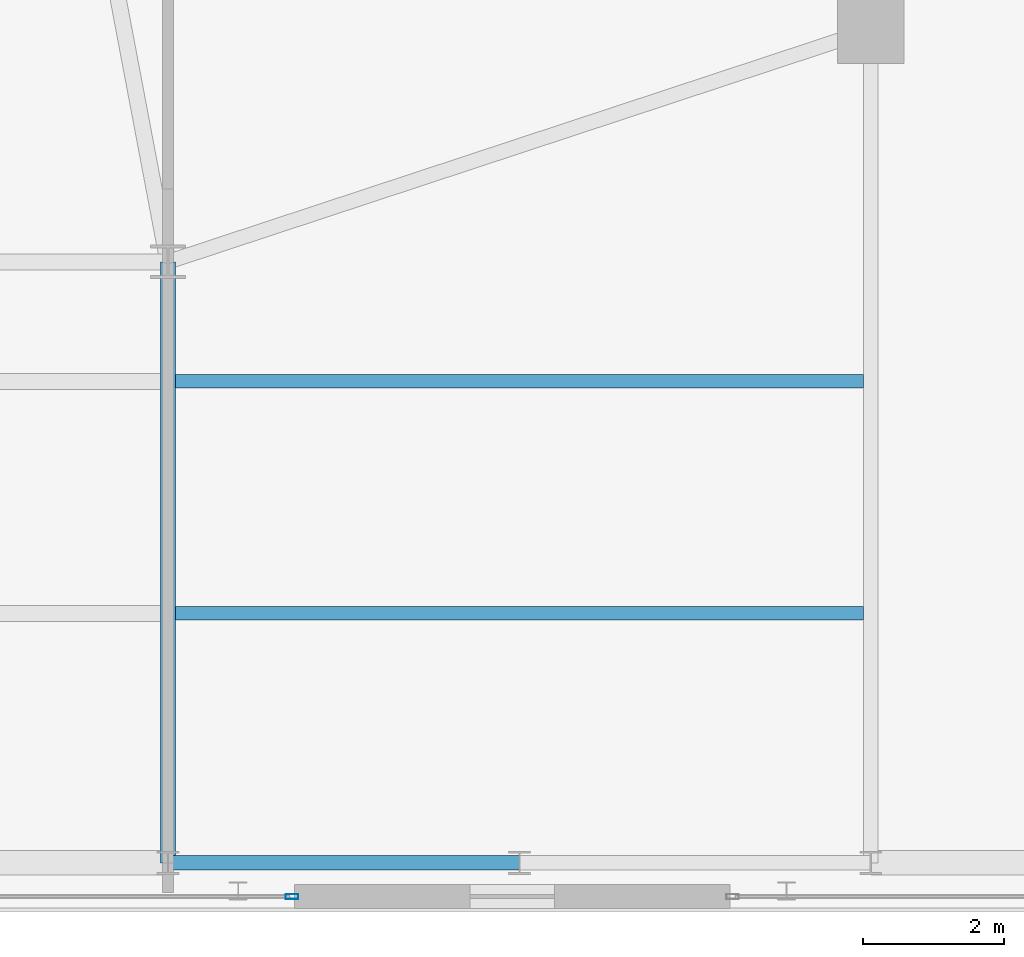
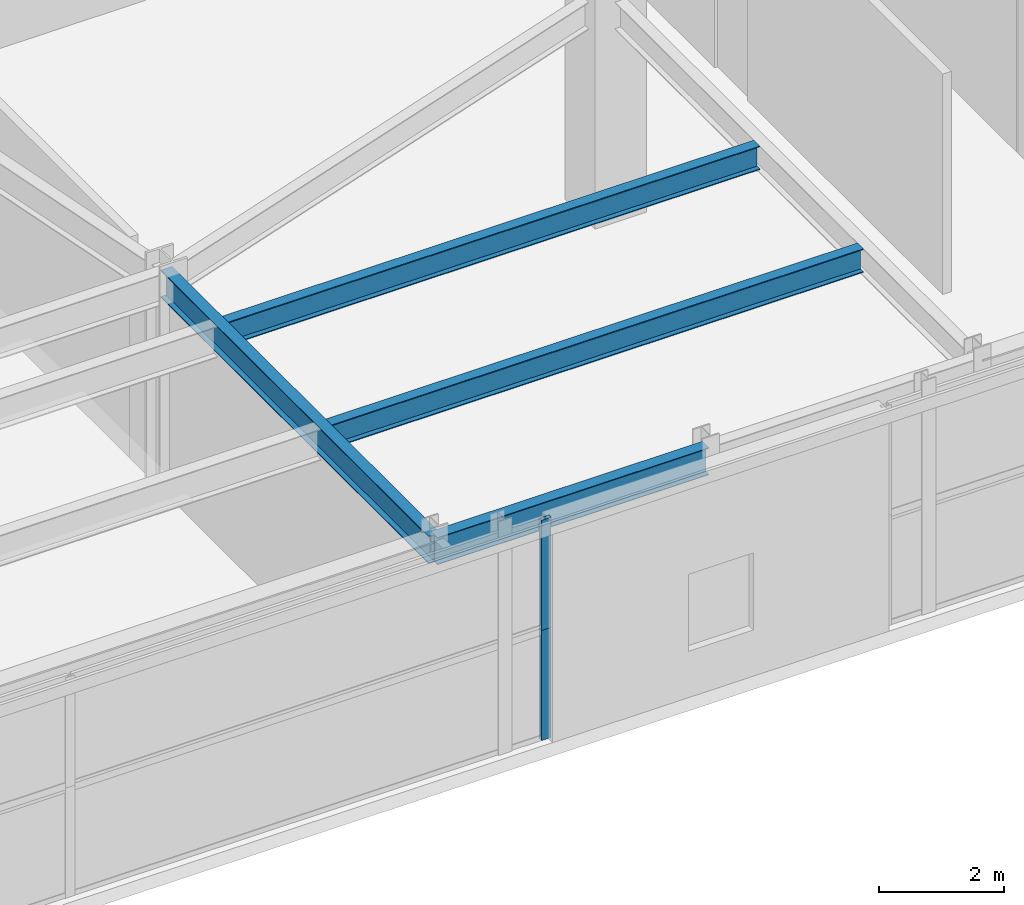
# One storey, part 14 of 26: 4 beams, 2 members, 2 elements without a shape of their own.
"""IFC4 building model written with IfcOpenShell, lengths in metres."""

import ifcopenshell
import ifcopenshell.guid

model = None  # the IFC model being written
_history = None  # IfcOwnerHistory: only IFC2X3 demands one
_inside = {}  # id of a spatial element -> (the spatial element, [elements in it])
_under = {}  # id of a project, library or spatial element -> (it, [spatial elements below it])
_declared = {}  # id of a project -> (the project, [libraries it declares])
_typed = {}  # id of a type object -> (the type object, [elements of that type])
_made_of = {}  # id of a material, layer set ... -> (it, [elements and type objects made of it])


def new_model(schema):
    """Start an empty IFC model of exactly this schema.

    Asked for "IFC4X3", IfcOpenShell would pick the latest addendum, in which some entities
    have other attributes; the version numbers below select the first issue.
    IFC2X3 requires an IfcOwnerHistory on every rooted entity: one is made here for all.
    """
    global model, _history
    if schema == "IFC4X3":
        model = ifcopenshell.file(schema_version=(4, 3, 0, 0))
    else:
        model = ifcopenshell.file(schema=schema)
    _inside.clear()
    _under.clear()
    _declared.clear()
    _typed.clear()
    _made_of.clear()
    _history = None
    if model.schema == "IFC2X3":
        org = make("IfcOrganization", Name="unknown")
        user = make(
            "IfcPersonAndOrganization",
            ThePerson=make("IfcPerson", FamilyName="unknown"),
            TheOrganization=org,
        )
        app = make(
            "IfcApplication",
            ApplicationDeveloper=org,
            Version="unknown",
            ApplicationFullName="unknown",
            ApplicationIdentifier="unknown",
        )
        _history = make(
            "IfcOwnerHistory",
            OwningUser=user,
            OwningApplication=app,
            ChangeAction="ADDED",
            CreationDate=0,
        )
    return model


def make(cls, **values):
    """One entity of the class cls with the attributes given. An attribute that is None is left unset."""
    return model.create_entity(
        cls, **{name: value for name, value in values.items() if value is not None}
    )


def rooted(cls, **values):
    """An entity with a GlobalId (a new one), such as an element, a storey or a relation."""
    return make(cls, GlobalId=ifcopenshell.guid.new(), OwnerHistory=_history, **values)


def si_unit(unit_type, name, prefix=None):
    """IfcSIUnit, for example si_unit("LENGTHUNIT", "METRE", prefix="MILLI")."""
    return make("IfcSIUnit", UnitType=unit_type, Prefix=prefix, Name=name)


def assignment(units):
    """IfcUnitAssignment: the units of a project."""
    return None if units is None else make("IfcUnitAssignment", Units=units)


def point(xyz):
    """IfcCartesianPoint."""
    return None if xyz is None else make("IfcCartesianPoint", Coordinates=xyz)


def direction(xyz):
    """IfcDirection."""
    return None if xyz is None else make("IfcDirection", DirectionRatios=xyz)


def frame(location, z_axis=None, x_axis=None):
    """IfcAxis2Placement3D, a coordinate frame: its origin and axes. An axis left out is left unset."""
    return make(
        "IfcAxis2Placement3D",
        Location=point(location),
        Axis=direction(z_axis),
        RefDirection=direction(x_axis),
    )


def frame_2d(location, x_axis=None):
    """IfcAxis2Placement2D, a coordinate frame in the plane: its origin and x axis."""
    return make(
        "IfcAxis2Placement2D", Location=point(location), RefDirection=direction(x_axis)
    )


def origin():
    """The frame at (0, 0, 0) with its axes left unset."""
    return frame((0.0, 0.0, 0.0))


def origin_2d():
    """The frame at (0, 0) in the plane with its x axis left unset."""
    return frame_2d((0.0, 0.0))


def place(relative_to, where):
    """IfcLocalPlacement: puts the frame where relative to a parent placement (None: the world)."""
    return make(
        "IfcLocalPlacement", PlacementRelTo=relative_to, RelativePlacement=where
    )


def context(
    kind, dimensions, precision=None, world=None, true_north=None, identifier=None
):
    """IfcGeometricRepresentationContext, for example the 3D "Model" context."""
    return make(
        "IfcGeometricRepresentationContext",
        ContextIdentifier=identifier,
        ContextType=kind,
        CoordinateSpaceDimension=dimensions,
        Precision=precision,
        WorldCoordinateSystem=world,
        TrueNorth=true_north,
    )


def subcontext(parent, identifier, kind, view, scale=None):
    """IfcGeometricRepresentationSubContext, for example "Body" below "Model"."""
    return make(
        "IfcGeometricRepresentationSubContext",
        ContextIdentifier=identifier,
        ContextType=kind,
        ParentContext=parent,
        TargetScale=scale,
        TargetView=view,
    )


def project(units=None, contexts=None):
    """IfcProject with its units and contexts."""
    return rooted(
        "IfcProject",
        Name="project",
        RepresentationContexts=contexts,
        UnitsInContext=assignment(units),
    )


def spatial(cls, under=None, at=None, **own):
    """A site, building, storey or space (cls), placed at a placement, below another one or the project."""
    s = rooted(cls, ObjectPlacement=at, **own)
    if under is not None:
        _under.setdefault(under.id(), (under, []))[1].append(s)
    return s


def profile(cls, at=None, kind="AREA", **sizes):
    """A parametric profile (cls). Its sizes go by their IFC names, for example OverallWidth=200.0."""
    return make(cls, ProfileType=kind, Position=at, **sizes)


def hollow_rectangle(**sizes):
    """IfcRectangleHollowProfileDef."""
    return profile("IfcRectangleHollowProfileDef", **sizes)


def i_section(**sizes):
    """IfcIShapeProfileDef."""
    return profile("IfcIShapeProfileDef", **sizes)


def extrude(swept, where, along, depth):
    """IfcExtrudedAreaSolid: the profile swept, set in the frame where, extruded along a direction by depth."""
    return make(
        "IfcExtrudedAreaSolid",
        SweptArea=swept,
        Position=where,
        ExtrudedDirection=direction(along),
        Depth=depth,
    )


def shape(context_of_items, identifier, shape_type, items):
    """IfcShapeRepresentation: the items that make up one representation, for example the "Body"."""
    return make(
        "IfcShapeRepresentation",
        ContextOfItems=context_of_items,
        RepresentationIdentifier=identifier,
        RepresentationType=shape_type,
        Items=items,
    )


def source(mapping_origin, context_of_items, identifier, shape_type, items):
    """IfcRepresentationMap: a shape defined once, which mapped items show again and again."""
    return make(
        "IfcRepresentationMap",
        MappingOrigin=mapping_origin,
        MappedRepresentation=shape(context_of_items, identifier, shape_type, items),
    )


def transform(
    local_origin,
    x_axis=None,
    y_axis=None,
    z_axis=None,
    scale=None,
    scale2=None,
    scale3=None,
    uniform=True,
):
    """IfcCartesianTransformationOperator3D, or its non-uniform kind. x_axis, y_axis, z_axis: its Axis1, 2, 3."""
    if uniform:
        return make(
            "IfcCartesianTransformationOperator3D",
            Axis1=direction(x_axis),
            Axis2=direction(y_axis),
            LocalOrigin=point(local_origin),
            Scale=scale,
            Axis3=direction(z_axis),
        )
    return make(
        "IfcCartesianTransformationOperator3DnonUniform",
        Axis1=direction(x_axis),
        Axis2=direction(y_axis),
        LocalOrigin=point(local_origin),
        Scale=scale,
        Axis3=direction(z_axis),
        Scale2=scale2,
        Scale3=scale3,
    )


def mapped(mapping_source, mapping_target):
    """IfcMappedItem: shows the shape of a source again, moved by a transform."""
    return make(
        "IfcMappedItem", MappingSource=mapping_source, MappingTarget=mapping_target
    )


def material(Name=None, Category=None):
    """IfcMaterial."""
    return make("IfcMaterial", Name=Name, Category=Category)


def layer(
    of_material, thickness, ventilated=None, Name=None, Category=None, Priority=None
):
    """IfcMaterialLayer: one layer of a wall or slab, of a material (None: an air gap)."""
    return make(
        "IfcMaterialLayer",
        Material=of_material,
        LayerThickness=thickness,
        IsVentilated=ventilated,
        Name=Name,
        Category=Category,
        Priority=Priority,
    )


def layer_set(layers, Name=None):
    """IfcMaterialLayerSet."""
    return make("IfcMaterialLayerSet", MaterialLayers=layers, LayerSetName=Name)


def material_profile(
    of_material, cross_section, Name=None, Category=None, Priority=None
):
    """IfcMaterialProfile: a cross section and its material."""
    return make(
        "IfcMaterialProfile",
        Name=Name,
        Material=of_material,
        Profile=cross_section,
        Priority=Priority,
        Category=Category,
    )


def profile_set(profiles, Name=None, composite=None):
    """IfcMaterialProfileSet."""
    return make(
        "IfcMaterialProfileSet",
        Name=Name,
        MaterialProfiles=profiles,
        CompositeProfile=composite,
    )


def made_of(thing, what):
    """Note that an element or type object is made of a material, layer set ...; save() writes the relation."""
    if what is not None:
        _made_of.setdefault(what.id(), (what, []))[1].append(thing)
    return thing


def type_object(cls, material=None, **own):
    """A type object (cls), such as IfcWallType, which elements share."""
    return made_of(rooted(cls, **own), material)


def element(
    cls,
    number,
    at=None,
    inside=None,
    cuts=None,
    type_object=None,
    material=None,
    context=None,
    identifier="Body",
    shape_type=None,
    held_by="IfcProductDefinitionShape",
    body=None,
    shapes=None,
    **own,
):
    """One element of the class cls, such as IfcWall. Its Tag is "e" and its number.

    at: its placement. inside: the storey or other place that contains it. cuts: it is an
    opening in that element (IfcRelVoidsElement). A single representation is given by context,
    identifier, shape_type and body (its items); several are given by shapes. held_by: the class
    of the entity that holds the representations. save() writes the other relations.
    """
    e = rooted(cls, Tag="e%d" % number, ObjectPlacement=at, **own)
    if body is not None:
        shapes = [shape(context, identifier, shape_type, body)]
    if shapes is not None:
        e.Representation = make(held_by, Representations=shapes)
    if inside is not None:
        _inside.setdefault(inside.id(), (inside, []))[1].append(e)
    if cuts is not None:
        rooted(
            "IfcRelVoidsElement", RelatingBuildingElement=cuts, RelatedOpeningElement=e
        )
    if type_object is not None:
        _typed.setdefault(type_object.id(), (type_object, []))[1].append(e)
    return made_of(e, material)


def aggregate(whole, parts):
    """IfcRelAggregates: a whole, such as a stair, and the parts it consists of."""
    return rooted("IfcRelAggregates", RelatingObject=whole, RelatedObjects=parts)


def save(model, path):
    """Write the relations noted so far, then the file.

    IfcRelAggregates (storeys below a building ...), IfcRelContainedInSpatialStructure (elements
    in a storey), IfcRelDefinesByType, IfcRelAssociatesMaterial and IfcRelDeclares: one each for
    every whole, place, type object, material and project.
    """
    for whole, parts in _under.values():
        aggregate(whole, parts)
    for where, things in _inside.values():
        rooted(
            "IfcRelContainedInSpatialStructure",
            RelatedElements=things,
            RelatingStructure=where,
        )
    for kind, things in _typed.values():
        rooted("IfcRelDefinesByType", RelatedObjects=things, RelatingType=kind)
    for what, things in _made_of.values():
        rooted("IfcRelAssociatesMaterial", RelatedObjects=things, RelatingMaterial=what)
    for by, libraries in _declared.values():
        rooted("IfcRelDeclares", RelatingContext=by, RelatedDefinitions=libraries)
    model.write(path)


model = new_model("IFC4")

# Units and contexts
model_context = context("Model", 3, precision=1e-05, world=origin(), true_north=direction((0.0, 1.0)))
body_context = subcontext(model_context, "Body", "Model", "MODEL_VIEW")
ifc_project = project(units=[si_unit("LENGTHUNIT", "METRE"), si_unit("AREAUNIT", "SQUARE_METRE"), si_unit("VOLUMEUNIT", "CUBIC_METRE"), si_unit("PLANEANGLEUNIT", "RADIAN"), si_unit("MASSUNIT", "GRAM", prefix="KILO")], contexts=[model_context])

# Site, building, storey
site_placement = place(None, origin())
site = spatial("IfcSite", under=ifc_project, at=site_placement, CompositionType="ELEMENT")
building_placement = place(site_placement, origin())
building = spatial("IfcBuilding", under=site, at=building_placement, Name="Taldren Reach Tower", CompositionType="ELEMENT")
storey_placement = place(building_placement, frame((0.0, 0.0, 8.39990234375)))
storey = spatial("IfcBuildingStorey", under=building, at=storey_placement, Name="L02", CompositionType="ELEMENT", Elevation=8.39990234375)

# Beams
ifc_material_1 = material(Name="Steel Gr 350 (350PLUS)", Category="steel")
ifc_material_profile_1 = material_profile(ifc_material_1, i_section(OverallWidth=0.208984375, OverallDepth=0.528076171875, WebThickness=0.009521484375, FlangeThickness=0.01318359375, at=origin_2d()), Name="530UB82.0")
ifc_profile_set_1 = profile_set([ifc_material_profile_1], Name="Steel Gr 350 (350PLUS)")
beam_type_1 = type_object("IfcBeamType", Name="SP-UB530B", PredefinedType="SPANDREL", material=ifc_profile_set_1)
shared_shape_1 = source(origin(), body_context, "Body", "SweptSolid", [
    extrude(i_section(OverallWidth=0.208984375, OverallDepth=0.528076171875, WebThickness=0.009521484375, FlangeThickness=0.01318359375, at=origin_2d()), origin(), (0.0, 0.0, 1.0), 5.0),
])
beam_1_placement = place(storey_placement, frame((42.0, 0.64990234375, 4.026123046875), z_axis=(1.0, 0.0, 0.0), x_axis=(0.0, 1.0, 0.0)))
element("IfcBeam", 1, at=beam_1_placement, inside=storey, type_object=beam_type_1, Name="Podium beam L02-PD05", PredefinedType="SPANDREL", context=body_context, shape_type="MappedRepresentation", body=[
    mapped(shared_shape_1, transform((0.0, 0.0, 0.0), scale=1.0)),
])
ifc_material_profile_2 = material_profile(ifc_material_1, i_section(OverallWidth=0.208984375, OverallDepth=0.532958984375, WebThickness=0.01025390625, FlangeThickness=0.015625, at=origin_2d()), Name="530UB92.4")
ifc_profile_set_2 = profile_set([ifc_material_profile_2], Name="Steel Gr 350 (350PLUS)")
beam_type_2 = type_object("IfcBeamType", Name="BM-UB530A", PredefinedType="BEAM", material=ifc_profile_set_2)
shared_shape_2 = source(origin(), body_context, "Body", "SweptSolid", [
    extrude(i_section(OverallWidth=0.208984375, OverallDepth=0.532958984375, WebThickness=0.01025390625, FlangeThickness=0.015625, at=origin_2d()), origin(), (0.0, 0.0, 1.0), 8.550048828125),
])
beam_2_placement = place(storey_placement, frame((42.0, 0.64990234375, 4.023681640625), z_axis=(0.0, 1.0, 0.0), x_axis=(-1.0, 0.0, 0.0)))
element("IfcBeam", 2, at=beam_2_placement, inside=storey, type_object=beam_type_2, Name="Podium beam L02-PD24", PredefinedType="BEAM", context=body_context, shape_type="MappedRepresentation", body=[
    mapped(shared_shape_2, transform((0.0, 0.0, 0.0), scale=1.0)),
])
ifc_material_profile_3 = material_profile(ifc_material_1, i_section(OverallWidth=0.19091796875, OverallDepth=0.4599609375, WebThickness=0.010009765625, FlangeThickness=0.01611328125, at=origin_2d()), Name="460UB82.1")
ifc_profile_set_3 = profile_set([ifc_material_profile_3], Name="Steel Gr 350 (350PLUS)")
beam_type_3 = type_object("IfcBeamType", Name="BM-UB460A", PredefinedType="BEAM", material=ifc_profile_set_3)
shared_shape_3 = source(origin(), body_context, "Body", "SweptSolid", [
    extrude(i_section(OverallWidth=0.19091796875, OverallDepth=0.4599609375, WebThickness=0.010009765625, FlangeThickness=0.01611328125, at=origin_2d()), origin(), (0.0, 0.0, 1.0), 9.791015625),
])
for number, where, z_axis, x_axis, name in (
    (3, (42.1044921875, 4.199951171875, 4.06005859375), (1.0, 0.0, 0.0), (0.0, 1.0, 0.0), "Podium composite floor beam L02-1.3"),
    (4, (42.1044921875, 7.5, 4.06005859375), (1.0, 0.0, 0.0), (0.0, 1.0, 0.0), "Podium composite floor beam L02-2.3"),
):
    element("IfcBeam", number, at=place(storey_placement, frame(where, z_axis=z_axis, x_axis=x_axis)), inside=storey, type_object=beam_type_3, Name=name, PredefinedType="BEAM", context=body_context, shape_type="MappedRepresentation", body=[
        mapped(shared_shape_3, transform((0.0, 0.0, 0.0), scale=1.0)),
    ])

# Curtain wall, member
ifc_material_2 = material(Name="Aluminium and Low-E Glass Unitised System", Category="aluminium")
ifc_layer = layer(ifc_material_2, 0.159912109375)
ifc_layer_set = layer_set([ifc_layer], Name="Aluminium and Low-E Glass Unitised System")
curtain_wall_type = type_object("IfcCurtainWallType", Name="CW-SYS-1", PredefinedType="NOTDEFINED", material=ifc_layer_set)
curtain_wall_1_placement = place(storey_placement, origin())
curtain_wall_1 = element("IfcCurtainWall", 5, at=curtain_wall_1_placement, inside=storey, type_object=curtain_wall_type, Name="Unitised curtain wall CW1-L02-S2", PredefinedType="NOTDEFINED")
ifc_material_3 = material(Name="Anodised Aluminium 6063-T6", Category="aluminium")
ifc_material_profile_4 = material_profile(ifc_material_3, hollow_rectangle(XDim=0.070068359375, YDim=0.179931640625, WallThickness=0.00390625, at=origin_2d()), Name="ALU-180x70x4RHS")
ifc_profile_set_4 = profile_set([ifc_material_profile_4], Name="Anodised Aluminium 6063-T6")
member_type = type_object("IfcMemberType", Name="CW-MUL-180", PredefinedType="MULLION", material=ifc_profile_set_4)
shared_shape_4 = source(origin(), body_context, "Body", "SweptSolid", [
    extrude(hollow_rectangle(XDim=0.070068359375, YDim=0.179931640625, WallThickness=0.00390625, at=origin_2d()), origin(), (0.0, 0.0, 1.0), 2.14501953125),
])
member_1_placement = place(storey_placement, frame((43.764892578125, 0.169921875, 0.0), z_axis=(0.0, 0.0, 1.0), x_axis=(0.0, 1.0, 0.0)))
member_1 = element("IfcMember", 6, at=member_1_placement, type_object=member_type, Name="CW-1 mullion 3", PredefinedType="MULLION", context=body_context, shape_type="MappedRepresentation", body=[
    mapped(shared_shape_4, transform((0.0, 0.0, 0.0), scale=1.0)),
])
aggregate(curtain_wall_1, [member_1])

curtain_wall_2_placement = place(storey_placement, origin())
curtain_wall_2 = element("IfcCurtainWall", 7, at=curtain_wall_2_placement, inside=storey, type_object=curtain_wall_type, Name="Unitised curtain wall CW1-L02-S2-T2", PredefinedType="NOTDEFINED")
member_2_placement = place(storey_placement, frame((43.764892578125, 0.169921875, 2.14501953125), z_axis=(0.0, 0.0, 1.0), x_axis=(0.0, 1.0, 0.0)))
member_2 = element("IfcMember", 8, at=member_2_placement, type_object=member_type, Name="CW-1 mullion 3", PredefinedType="MULLION", context=body_context, shape_type="MappedRepresentation", body=[
    mapped(shared_shape_4, transform((0.0, 0.0, 0.0), scale=1.0)),
])
aggregate(curtain_wall_2, [member_2])

save(model, "model.ifc")
